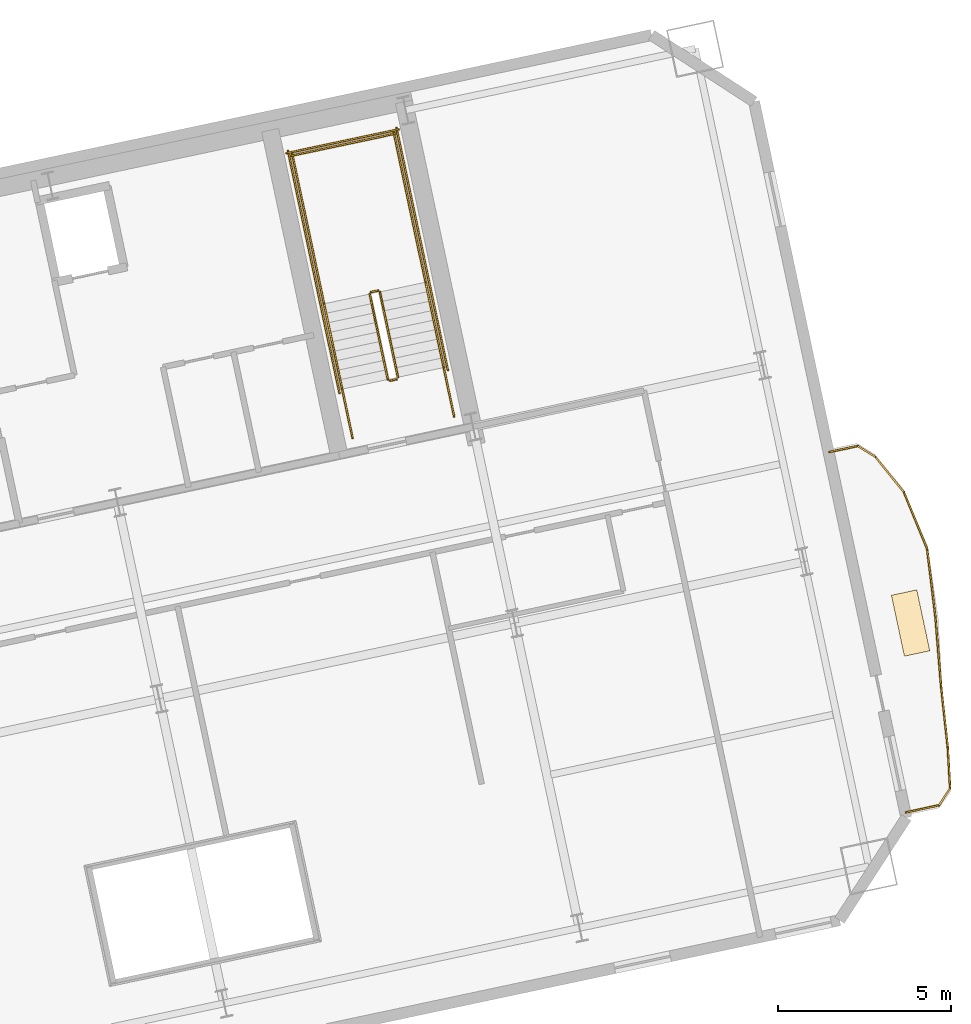
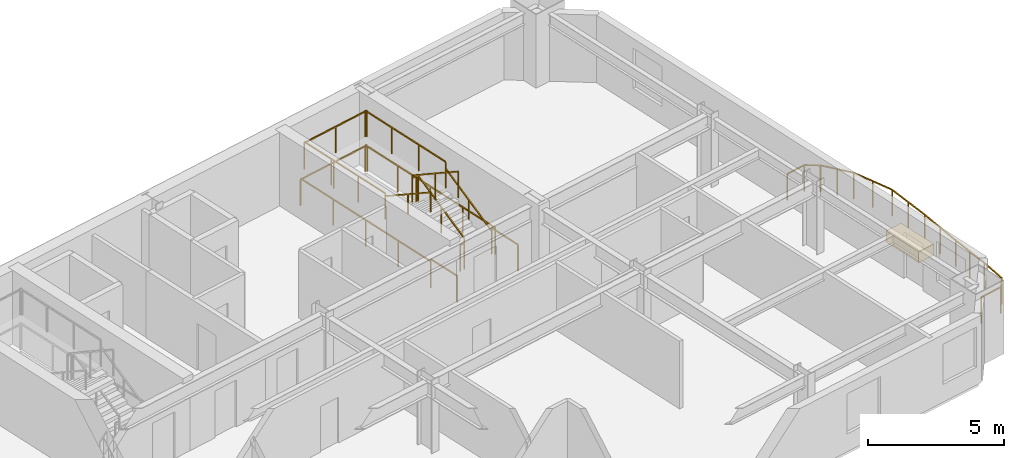
# One storey, part 13 of 13: 24 railings, 1 covering.
"""IFC4 building model written with IfcOpenShell, lengths in metres."""

from ifc_helpers import new_model, si_unit, direction, frame, origin, origin_2d, place, context, subcontext, project, spatial, rectangle, extrude, material, layer, layer_set, type_object, element, save


model = new_model("IFC4")

# Units and contexts
model_context = context("Model", 3, precision=1e-05, world=origin(), true_north=direction((0.0, 1.0)))
body_context = subcontext(model_context, "Body", "Model", "MODEL_VIEW")
ifc_project = project(units=[si_unit("LENGTHUNIT", "METRE"), si_unit("AREAUNIT", "SQUARE_METRE"), si_unit("VOLUMEUNIT", "CUBIC_METRE"), si_unit("PLANEANGLEUNIT", "RADIAN"), si_unit("MASSUNIT", "GRAM", prefix="KILO")], contexts=[model_context])

# Site, building, storey
site_placement = place(None, origin())
site = spatial("IfcSite", under=ifc_project, at=site_placement, CompositionType="ELEMENT")
building_placement = place(site_placement, origin())
building = spatial("IfcBuilding", under=site, at=building_placement, Name="Haevon Station Towers", CompositionType="ELEMENT")
storey_placement = place(building_placement, frame((0.0, 0.0, 99.89990234375)))
storey = spatial("IfcBuildingStorey", under=building, at=storey_placement, Name="L26", CompositionType="ELEMENT", Elevation=99.89990234375)

# Railings
ifc_material_1 = material(Name="Steel S355", Category="steel")
railing_type_1 = type_object("IfcRailingType", Name="GRD-EXT1200", PredefinedType="GUARDRAIL", material=ifc_material_1)
railing_1_placement = place(storey_placement, frame((131.806396484375, 30.66943359375, 0.0)))
element("IfcRailing", 1, at=railing_1_placement, inside=storey, type_object=railing_type_1, Name="L26 Perimeter Guardrail 1", PredefinedType="GUARDRAIL", context=body_context, shape_type="SweptSolid", body=[
    extrude(rectangle(XDim=0.048095703125, YDim=0.048095703125, at=origin_2d()), frame((0.0, 0.0, 1.17578125), z_axis=(0.977655509708, 0.210213473256, 0.0), x_axis=(-0.210213473256, 0.977655509708, 0.0)), (0.0, 0.0, 1.0), 0.974365234375),
    extrude(rectangle(XDim=0.0419921875, YDim=0.0419921875, at=origin_2d()), origin(), (0.0, 0.0, 1.0), 1.15185546875),
    extrude(rectangle(XDim=0.0419921875, YDim=0.0419921875, at=origin_2d()), frame((0.95263671875, 0.204833984375, 0.0)), (0.0, 0.0, 1.0), 1.15185546875),
])
railing_2_placement = place(storey_placement, frame((132.759033203125, 30.874267578125, 0.0)))
element("IfcRailing", 2, at=railing_2_placement, inside=storey, type_object=railing_type_1, Name="L26 Perimeter Guardrail 2", PredefinedType="GUARDRAIL", context=body_context, shape_type="SweptSolid", body=[
    extrude(rectangle(XDim=0.048095703125, YDim=0.048095703125, at=origin_2d()), frame((0.0, 0.0, 1.17578125), z_axis=(0.549194553992, 0.835694526645, 0.0), x_axis=(-0.835694526645, 0.549194553992, 0.0)), (0.0, 0.0, 1.0), 0.58447265625),
    extrude(rectangle(XDim=0.0419921875, YDim=0.0419921875, at=origin_2d()), origin(), (0.0, 0.0, 1.0), 1.15185546875),
    extrude(rectangle(XDim=0.0419921875, YDim=0.0419921875, at=origin_2d()), frame((0.321044921875, 0.488525390625, 0.0)), (0.0, 0.0, 1.0), 1.15185546875),
])
railing_3_placement = place(storey_placement, frame((133.080078125, 31.36279296875, 0.0)))
element("IfcRailing", 3, at=railing_3_placement, inside=storey, type_object=railing_type_1, Name="L26 Perimeter Guardrail 3", PredefinedType="GUARDRAIL", context=body_context, shape_type="SweptSolid", body=[
    extrude(rectangle(XDim=0.048095703125, YDim=0.048095703125, at=origin_2d()), frame((0.0, 0.0, 1.17578125), z_axis=(-0.05733169626, 0.998355185595, 0.0), x_axis=(-0.998355185595, -0.05733169626, 0.0)), (0.0, 0.0, 1.0), 1.183837890625),
    extrude(rectangle(XDim=0.0419921875, YDim=0.0419921875, at=origin_2d()), origin(), (0.0, 0.0, 1.0), 1.15185546875),
    extrude(rectangle(XDim=0.0419921875, YDim=0.0419921875, at=origin_2d()), frame((-0.06787109375, 1.181884765625, 0.0)), (0.0, 0.0, 1.0), 1.15185546875),
])
railing_4_placement = place(storey_placement, frame((133.01220703125, 32.544677734375, 0.0)))
element("IfcRailing", 4, at=railing_4_placement, inside=storey, type_object=railing_type_1, Name="L26 Perimeter Guardrail 4", PredefinedType="GUARDRAIL", context=body_context, shape_type="SweptSolid", body=[
    extrude(rectangle(XDim=0.048095703125, YDim=0.048095703125, at=origin_2d()), frame((0.0, 0.0, 1.17578125), z_axis=(-0.10867944311, 0.994076847455, 0.0), x_axis=(-0.994076847455, -0.10867944311, 0.0)), (0.0, 0.0, 1.0), 1.759033203125),
    extrude(rectangle(XDim=0.0419921875, YDim=0.0419921875, at=origin_2d()), origin(), (0.0, 0.0, 1.0), 1.15185546875),
    extrude(rectangle(XDim=0.0419921875, YDim=0.0419921875, at=origin_2d()), frame((-0.095703125, 0.874267578125, 0.0)), (0.0, 0.0, 1.0), 1.15185546875),
    extrude(rectangle(XDim=0.0419921875, YDim=0.0419921875, at=origin_2d()), frame((-0.191162109375, 1.74853515625, 0.0)), (0.0, 0.0, 1.0), 1.15185546875),
])
railing_5_placement = place(storey_placement, frame((132.821044921875, 34.293212890625, 0.0)))
element("IfcRailing", 5, at=railing_5_placement, inside=storey, type_object=railing_type_1, Name="L26 Perimeter Guardrail 5", PredefinedType="GUARDRAIL", context=body_context, shape_type="SweptSolid", body=[
    extrude(rectangle(XDim=0.048095703125, YDim=0.048095703125, at=origin_2d()), frame((0.0, 0.0, 1.17578125), z_axis=(-0.081584181363, 0.996666454413, 0.0), x_axis=(-0.996666454413, -0.081584181363, 0.0)), (0.0, 0.0, 1.0), 2.0048828125),
    extrude(rectangle(XDim=0.0419921875, YDim=0.0419921875, at=origin_2d()), origin(), (0.0, 0.0, 1.0), 1.15185546875),
    extrude(rectangle(XDim=0.0419921875, YDim=0.0419921875, at=origin_2d()), frame((-0.081787109375, 0.9990234375, 0.0)), (0.0, 0.0, 1.0), 1.15185546875),
    extrude(rectangle(XDim=0.0419921875, YDim=0.0419921875, at=origin_2d()), frame((-0.16357421875, 1.998291015625, 0.0)), (0.0, 0.0, 1.0), 1.15185546875),
])
railing_6_placement = place(storey_placement, frame((132.657470703125, 36.29150390625, 0.0)))
element("IfcRailing", 6, at=railing_6_placement, inside=storey, type_object=railing_type_1, Name="L26 Perimeter Guardrail 6", PredefinedType="GUARDRAIL", context=body_context, shape_type="SweptSolid", body=[
    extrude(rectangle(XDim=0.048095703125, YDim=0.048095703125, at=origin_2d()), frame((0.0, 0.0, 1.17578125), z_axis=(-0.120010837875, 0.992772581608, 0.0), x_axis=(-0.992772581608, -0.120010837875, 0.0)), (0.0, 0.0, 1.0), 2.001708984375),
    extrude(rectangle(XDim=0.0419921875, YDim=0.0419921875, at=origin_2d()), origin(), (0.0, 0.0, 1.0), 1.15185546875),
    extrude(rectangle(XDim=0.0419921875, YDim=0.0419921875, at=origin_2d()), frame((-0.1201171875, 0.99365234375, 0.0)), (0.0, 0.0, 1.0), 1.15185546875),
    extrude(rectangle(XDim=0.0419921875, YDim=0.0419921875, at=origin_2d()), frame((-0.240234375, 1.9873046875, 0.0)), (0.0, 0.0, 1.0), 1.15185546875),
])
railing_7_placement = place(storey_placement, frame((132.417236328125, 38.27880859375, 0.0)))
element("IfcRailing", 7, at=railing_7_placement, inside=storey, type_object=railing_type_1, Name="L26 Perimeter Guardrail 7", PredefinedType="GUARDRAIL", context=body_context, shape_type="SweptSolid", body=[
    extrude(rectangle(XDim=0.048095703125, YDim=0.048095703125, at=origin_2d()), frame((0.0, 0.0, 1.17578125), z_axis=(-0.380175333205, 0.924914437136, 0.0), x_axis=(-0.924914437136, -0.380175333205, 0.0)), (0.0, 0.0, 1.0), 1.7744140625),
    extrude(rectangle(XDim=0.0419921875, YDim=0.0419921875, at=origin_2d()), origin(), (0.0, 0.0, 1.0), 1.15185546875),
    extrude(rectangle(XDim=0.0419921875, YDim=0.0419921875, at=origin_2d()), frame((-0.33740234375, 0.820556640625, 0.0)), (0.0, 0.0, 1.0), 1.15185546875),
    extrude(rectangle(XDim=0.0419921875, YDim=0.0419921875, at=origin_2d()), frame((-0.674560546875, 1.64111328125, 0.0)), (0.0, 0.0, 1.0), 1.15185546875),
])
railing_8_placement = place(storey_placement, frame((131.74267578125, 39.919921875, 0.0)))
element("IfcRailing", 8, at=railing_8_placement, inside=storey, type_object=railing_type_1, Name="L26 Perimeter Guardrail 8", PredefinedType="GUARDRAIL", context=body_context, shape_type="SweptSolid", body=[
    extrude(rectangle(XDim=0.048095703125, YDim=0.048095703125, at=origin_2d()), frame((0.0, 0.0, 1.17578125), z_axis=(-0.628116150812, 0.77811959305, 0.0), x_axis=(-0.77811959305, -0.628116150812, 0.0)), (0.0, 0.0, 1.0), 1.311767578125),
    extrude(rectangle(XDim=0.0419921875, YDim=0.0419921875, at=origin_2d()), origin(), (0.0, 0.0, 1.0), 1.15185546875),
    extrude(rectangle(XDim=0.0419921875, YDim=0.0419921875, at=origin_2d()), frame((-0.412109375, 0.51025390625, 0.0)), (0.0, 0.0, 1.0), 1.15185546875),
    extrude(rectangle(XDim=0.0419921875, YDim=0.0419921875, at=origin_2d()), frame((-0.823974609375, 1.020751953125, 0.0)), (0.0, 0.0, 1.0), 1.15185546875),
])
railing_9_placement = place(storey_placement, frame((130.918701171875, 40.940673828125, 0.0)))
element("IfcRailing", 9, at=railing_9_placement, inside=storey, type_object=railing_type_1, Name="L26 Perimeter Guardrail 9", PredefinedType="GUARDRAIL", context=body_context, shape_type="SweptSolid", body=[
    extrude(rectangle(XDim=0.048095703125, YDim=0.048095703125, at=origin_2d()), frame((0.0, 0.0, 1.17578125), z_axis=(-0.850160096913, 0.526524272581, 0.0), x_axis=(-0.526524272581, -0.850160096913, 0.0)), (0.0, 0.0, 1.0), 0.594482421875),
    extrude(rectangle(XDim=0.0419921875, YDim=0.0419921875, at=origin_2d()), origin(), (0.0, 0.0, 1.0), 1.15185546875),
    extrude(rectangle(XDim=0.0419921875, YDim=0.0419921875, at=origin_2d()), frame((-0.50537109375, 0.31298828125, 0.0)), (0.0, 0.0, 1.0), 1.15185546875),
])
railing_10_placement = place(storey_placement, frame((130.413330078125, 41.253662109375, 0.0)))
element("IfcRailing", 10, at=railing_10_placement, inside=storey, type_object=railing_type_1, Name="L26 Perimeter Guardrail 10", PredefinedType="GUARDRAIL", context=body_context, shape_type="SweptSolid", body=[
    extrude(rectangle(XDim=0.048095703125, YDim=0.048095703125, at=origin_2d()), frame((0.0, 0.0, 1.17578125), z_axis=(-0.978617737227, -0.20568744343, 0.0), x_axis=(0.20568744343, -0.978617737227, 0.0)), (0.0, 0.0, 1.0), 0.837890625),
    extrude(rectangle(XDim=0.0419921875, YDim=0.0419921875, at=origin_2d()), origin(), (0.0, 0.0, 1.0), 1.15185546875),
    extrude(rectangle(XDim=0.0419921875, YDim=0.0419921875, at=origin_2d()), frame((-0.820068359375, -0.17236328125, 0.0)), (0.0, 0.0, 1.0), 1.15185546875),
])
railing_type_2 = type_object("IfcRailingType", Name="GRD-STR1200", PredefinedType="GUARDRAIL", material=ifc_material_1)
railing_11_placement = place(storey_placement, frame((117.128662109375, 43.23974609375, 0.1650390625)))
element("IfcRailing", 11, at=railing_11_placement, inside=storey, type_object=railing_type_2, Name="L26 ST4 Stair Guard 1", PredefinedType="GUARDRAIL", context=body_context, shape_type="SweptSolid", body=[
    extrude(rectangle(XDim=0.048095703125, YDim=0.048095703125, at=origin_2d()), frame((0.0, 0.0, 1.17578125), z_axis=(-0.179121265225, 0.842687928106, 0.507732831485), x_axis=(-0.978147030254, -0.207914374695, 0.0)), (0.0, 0.0, 1.0), 2.925048828125),
    extrude(rectangle(XDim=0.0419921875, YDim=0.0419921875, at=origin_2d()), origin(), (0.0, 0.0, 1.0), 1.15185546875),
    extrude(rectangle(XDim=0.0419921875, YDim=0.0419921875, at=origin_2d()), frame((-0.261962890625, 1.232421875, 0.74267578125)), (0.0, 0.0, 1.0), 1.15185546875),
    extrude(rectangle(XDim=0.0419921875, YDim=0.0419921875, at=origin_2d()), frame((-0.52392578125, 2.46484375, 1.485107421875)), (0.0, 0.0, 1.0), 1.15185546875),
])
railing_12_placement = place(storey_placement, frame((116.54541015625, 45.7431640625, 1.650146484375)))
element("IfcRailing", 12, at=railing_12_placement, inside=storey, type_object=railing_type_2, Name="L26 ST4 Stair Guard 2", PredefinedType="GUARDRAIL", context=body_context, shape_type="SweptSolid", body=[
    extrude(rectangle(XDim=0.048095703125, YDim=0.048095703125, at=origin_2d()), frame((0.0, 0.0, 1.17578125), z_axis=(-0.97826412705, -0.207362720198, 0.0), x_axis=(0.207362720198, -0.97826412705, 0.0)), (0.0, 0.0, 1.0), 0.2001953125),
    extrude(rectangle(XDim=0.0419921875, YDim=0.0419921875, at=origin_2d()), origin(), (0.0, 0.0, 1.0), 1.15185546875),
    extrude(rectangle(XDim=0.0419921875, YDim=0.0419921875, at=origin_2d()), frame((-0.19580078125, -0.04150390625, 0.0)), (0.0, 0.0, 1.0), 1.15185546875),
])
railing_13_placement = place(storey_placement, frame((117.925048828125, 45.9853515625, 1.650146484375)))
element("IfcRailing", 13, at=railing_13_placement, inside=storey, type_object=railing_type_2, Name="L26 ST4 Stair Guard 3", PredefinedType="GUARDRAIL", context=body_context, shape_type="SweptSolid", body=[
    extrude(rectangle(XDim=0.048095703125, YDim=0.048095703125, at=origin_2d()), frame((0.0, 0.0, 1.17578125), z_axis=(-0.207876551949, 0.978155069071, 0.0), x_axis=(-0.978155069071, -0.207876551949, 0.0)), (0.0, 0.0, 1.0), 4.429931640625),
    extrude(rectangle(XDim=0.0419921875, YDim=0.0419921875, at=origin_2d()), origin(), (0.0, 0.0, 1.0), 1.15185546875),
    extrude(rectangle(XDim=0.0419921875, YDim=0.0419921875, at=origin_2d()), frame((-0.306884765625, 1.4443359375, 0.0)), (0.0, 0.0, 1.0), 1.15185546875),
    extrude(rectangle(XDim=0.0419921875, YDim=0.0419921875, at=origin_2d()), frame((-0.614013671875, 2.888916015625, 0.0)), (0.0, 0.0, 1.0), 1.15185546875),
    extrude(rectangle(XDim=0.0419921875, YDim=0.0419921875, at=origin_2d()), frame((-0.9208984375, 4.333251953125, 0.0)), (0.0, 0.0, 1.0), 1.15185546875),
])
railing_14_placement = place(storey_placement, frame((114.99072265625, 45.361572265625, 1.650146484375)))
element("IfcRailing", 14, at=railing_14_placement, inside=storey, type_object=railing_type_2, Name="L26 ST4 Stair Guard 4", PredefinedType="GUARDRAIL", context=body_context, shape_type="SweptSolid", body=[
    extrude(rectangle(XDim=0.048095703125, YDim=0.048095703125, at=origin_2d()), frame((0.0, 0.0, 1.17578125), z_axis=(-0.207929280007, 0.978143861871, 0.0), x_axis=(-0.978143861871, -0.207929280007, 0.0)), (0.0, 0.0, 1.0), 4.43017578125),
    extrude(rectangle(XDim=0.0419921875, YDim=0.0419921875, at=origin_2d()), origin(), (0.0, 0.0, 1.0), 1.15185546875),
    extrude(rectangle(XDim=0.0419921875, YDim=0.0419921875, at=origin_2d()), frame((-0.30712890625, 1.4443359375, 0.0)), (0.0, 0.0, 1.0), 1.15185546875),
    extrude(rectangle(XDim=0.0419921875, YDim=0.0419921875, at=origin_2d()), frame((-0.614013671875, 2.888916015625, 0.0)), (0.0, 0.0, 1.0), 1.15185546875),
    extrude(rectangle(XDim=0.0419921875, YDim=0.0419921875, at=origin_2d()), frame((-0.921142578125, 4.333251953125, 0.0)), (0.0, 0.0, 1.0), 1.15185546875),
])
railing_15_placement = place(storey_placement, frame((117.0634765625, 50.280029296875, 1.650146484375)))
element("IfcRailing", 15, at=railing_15_placement, inside=storey, type_object=railing_type_2, Name="L26 ST4 Stair Guard 5", PredefinedType="GUARDRAIL", context=body_context, shape_type="SweptSolid", body=[
    extrude(rectangle(XDim=0.048095703125, YDim=0.048095703125, at=origin_2d()), frame((0.0, 0.0, 1.17578125), z_axis=(-0.978146839882, -0.207915270313, 0.0), x_axis=(0.207915270313, -0.978146839882, 0.0)), (0.0, 0.0, 1.0), 3.099853515625),
    extrude(rectangle(XDim=0.0419921875, YDim=0.0419921875, at=origin_2d()), origin(), (0.0, 0.0, 1.0), 1.15185546875),
    extrude(rectangle(XDim=0.0419921875, YDim=0.0419921875, at=origin_2d()), frame((-1.51611328125, -0.322265625, 0.0)), (0.0, 0.0, 1.0), 1.15185546875),
    extrude(rectangle(XDim=0.0419921875, YDim=0.0419921875, at=origin_2d()), frame((-3.0322265625, -0.64453125, 0.0)), (0.0, 0.0, 1.0), 1.15185546875),
])
railing_16_placement = place(storey_placement, frame((116.311279296875, 45.642333984375, 1.815185546875)))
element("IfcRailing", 16, at=railing_16_placement, inside=storey, type_object=railing_type_2, Name="L26 ST4 Stair Guard 6", PredefinedType="GUARDRAIL", context=body_context, shape_type="SweptSolid", body=[
    extrude(rectangle(XDim=0.048095703125, YDim=0.048095703125, at=origin_2d()), frame((0.0, 0.0, 1.17578125), z_axis=(0.179116256339, -0.842747828638, 0.507635168246), x_axis=(0.978151217824, 0.207894673017, 0.0)), (0.0, 0.0, 1.0), 2.925048828125),
    extrude(rectangle(XDim=0.0419921875, YDim=0.0419921875, at=origin_2d()), origin(), (0.0, 0.0, 1.0), 1.15185546875),
    extrude(rectangle(XDim=0.0419921875, YDim=0.0419921875, at=origin_2d()), frame((0.261962890625, -1.232421875, 0.742431640625)), (0.0, 0.0, 1.0), 1.15185546875),
    extrude(rectangle(XDim=0.0419921875, YDim=0.0419921875, at=origin_2d()), frame((0.52392578125, -2.465087890625, 1.48486328125)), (0.0, 0.0, 1.0), 1.15185546875),
])
railing_17_placement = place(storey_placement, frame((117.090087890625, 43.180419921875, 0.0)))
element("IfcRailing", 17, at=railing_17_placement, inside=storey, type_object=railing_type_2, Name="L26 ST4 Stair Guard 7", PredefinedType="GUARDRAIL", context=body_context, shape_type="SweptSolid", body=[
    extrude(rectangle(XDim=0.048095703125, YDim=0.048095703125, at=origin_2d()), frame((0.0, 0.0, 1.17578125), z_axis=(-0.978211583308, -0.207610448392, 0.0), x_axis=(0.207610448392, -0.978211583308, 0.0)), (0.0, 0.0, 1.0), 0.199951171875),
    extrude(rectangle(XDim=0.0419921875, YDim=0.0419921875, at=origin_2d()), origin(), (0.0, 0.0, 1.0), 1.15185546875),
    extrude(rectangle(XDim=0.0419921875, YDim=0.0419921875, at=origin_2d()), frame((-0.195556640625, -0.04150390625, 0.0)), (0.0, 0.0, 1.0), 1.15185546875),
])
for number, where, name in (
    (18, (118.75048828125, 42.10205078125, 0.0), "L26 ST4 Stair Guard 8"),
    (19, (115.816162109375, 41.478271484375, 0.0), "L26 ST4 Stair Guard 9"),
):
    element("IfcRailing", number, at=place(storey_placement, frame(where)), inside=storey, type_object=railing_type_2, Name=name, PredefinedType="GUARDRAIL", context=body_context, shape_type="SweptSolid", body=[
        extrude(rectangle(XDim=0.048095703125, YDim=0.048095703125, at=origin_2d()), frame((0.0, 0.0, 1.17578125), z_axis=(-0.207919161079, 0.978146012851, 0.0), x_axis=(-0.978146012851, -0.207919161079, 0.0)), (0.0, 0.0, 1.0), 1.4501953125),
        extrude(rectangle(XDim=0.0419921875, YDim=0.0419921875, at=origin_2d()), origin(), (0.0, 0.0, 1.0), 1.15185546875),
        extrude(rectangle(XDim=0.0419921875, YDim=0.0419921875, at=origin_2d()), frame((-0.301513671875, 1.41845703125, 0.0)), (0.0, 0.0, 1.0), 1.15185546875),
    ])
railing_18_placement = place(storey_placement, frame((118.567626953125, 43.443359375, 0.0)))
element("IfcRailing", 20, at=railing_18_placement, inside=storey, type_object=railing_type_2, Name="L26 ST4 Stair Guard 10", PredefinedType="GUARDRAIL", context=body_context, shape_type="SweptSolid", body=[
    extrude(rectangle(XDim=0.048095703125, YDim=0.048095703125, at=origin_2d()), frame((0.0, 0.0, 1.17578125), z_axis=(-0.207908168386, 0.978148349443, 0.0), x_axis=(-0.978148349443, -0.207908168386, 0.0)), (0.0, 0.0, 1.0), 7.150146484375),
    extrude(rectangle(XDim=0.0419921875, YDim=0.0419921875, at=origin_2d()), origin(), (0.0, 0.0, 1.0), 1.15185546875),
    extrude(rectangle(XDim=0.0419921875, YDim=0.0419921875, at=origin_2d()), frame((-0.37158203125, 1.74853515625, 0.0)), (0.0, 0.0, 1.0), 1.15185546875),
    extrude(rectangle(XDim=0.0419921875, YDim=0.0419921875, at=origin_2d()), frame((-0.7431640625, 3.4970703125, 0.0)), (0.0, 0.0, 1.0), 1.15185546875),
    extrude(rectangle(XDim=0.0419921875, YDim=0.0419921875, at=origin_2d()), frame((-1.114990234375, 5.245361328125, 0.0)), (0.0, 0.0, 1.0), 1.15185546875),
    extrude(rectangle(XDim=0.0419921875, YDim=0.0419921875, at=origin_2d()), frame((-1.486572265625, 6.993896484375, 0.0)), (0.0, 0.0, 1.0), 1.15185546875),
])
railing_19_placement = place(storey_placement, frame((115.4375, 42.778076171875, 0.0)))
element("IfcRailing", 21, at=railing_19_placement, inside=storey, type_object=railing_type_2, Name="L26 ST4 Stair Guard 11", PredefinedType="GUARDRAIL", context=body_context, shape_type="SweptSolid", body=[
    extrude(rectangle(XDim=0.048095703125, YDim=0.048095703125, at=origin_2d()), frame((0.0, 0.0, 1.17578125), z_axis=(-0.207882442208, 0.978153817261, 0.0), x_axis=(-0.978153817261, -0.207882442208, 0.0)), (0.0, 0.0, 1.0), 7.14990234375),
    extrude(rectangle(XDim=0.0419921875, YDim=0.0419921875, at=origin_2d()), origin(), (0.0, 0.0, 1.0), 1.15185546875),
    extrude(rectangle(XDim=0.0419921875, YDim=0.0419921875, at=origin_2d()), frame((-0.37158203125, 1.74853515625, 0.0)), (0.0, 0.0, 1.0), 1.15185546875),
    extrude(rectangle(XDim=0.0419921875, YDim=0.0419921875, at=origin_2d()), frame((-0.7431640625, 3.496826171875, 0.0)), (0.0, 0.0, 1.0), 1.15185546875),
    extrude(rectangle(XDim=0.0419921875, YDim=0.0419921875, at=origin_2d()), frame((-1.11474609375, 5.2451171875, 0.0)), (0.0, 0.0, 1.0), 1.15185546875),
    extrude(rectangle(XDim=0.0419921875, YDim=0.0419921875, at=origin_2d()), frame((-1.486328125, 6.99365234375, 0.0)), (0.0, 0.0, 1.0), 1.15185546875),
])
railing_20_placement = place(storey_placement, frame((117.140380859375, 50.398681640625, 0.0)))
element("IfcRailing", 22, at=railing_20_placement, inside=storey, type_object=railing_type_2, Name="L26 ST4 Stair Guard 12", PredefinedType="GUARDRAIL", context=body_context, shape_type="SweptSolid", body=[
    extrude(rectangle(XDim=0.048095703125, YDim=0.048095703125, at=origin_2d()), frame((0.0, 0.0, 1.17578125), z_axis=(-0.978135717418, -0.207967589567, 0.0), x_axis=(0.207967589567, -0.978135717418, 0.0)), (0.0, 0.0, 1.0), 3.300048828125),
    extrude(rectangle(XDim=0.0419921875, YDim=0.0419921875, at=origin_2d()), origin(), (0.0, 0.0, 1.0), 1.15185546875),
    extrude(rectangle(XDim=0.0419921875, YDim=0.0419921875, at=origin_2d()), frame((-1.61376953125, -0.34326171875, 0.0)), (0.0, 0.0, 1.0), 1.15185546875),
    extrude(rectangle(XDim=0.0419921875, YDim=0.0419921875, at=origin_2d()), frame((-3.227783203125, -0.686279296875, 0.0)), (0.0, 0.0, 1.0), 1.15185546875),
])
railing_type_3 = type_object("IfcRailingType", Name="HND-STR900", PredefinedType="HANDRAIL", material=ifc_material_1)
railing_21_placement = place(storey_placement, frame((118.448974609375, 43.5205078125, 0.1650390625)))
element("IfcRailing", 23, at=railing_21_placement, inside=storey, type_object=railing_type_3, Name="L26 ST4 Stair Handrail 1", PredefinedType="HANDRAIL", context=body_context, shape_type="SweptSolid", body=[
    extrude(rectangle(XDim=0.048095703125, YDim=0.048095703125, at=origin_2d()), frame((0.0, 0.0, 0.8759765625), z_axis=(-0.179121265225, 0.842687928106, 0.507732831485), x_axis=(-0.978147030254, -0.207914374695, 0.0)), (0.0, 0.0, 1.0), 2.925048828125),
    extrude(rectangle(XDim=0.0419921875, YDim=0.0419921875, at=origin_2d()), origin(), (0.0, 0.0, 1.0), 0.851806640625),
    extrude(rectangle(XDim=0.0419921875, YDim=0.0419921875, at=origin_2d()), frame((-0.261962890625, 1.232421875, 0.74267578125)), (0.0, 0.0, 1.0), 0.851806640625),
    extrude(rectangle(XDim=0.0419921875, YDim=0.0419921875, at=origin_2d()), frame((-0.52392578125, 2.46484375, 1.485107421875)), (0.0, 0.0, 1.0), 0.851806640625),
])
railing_22_placement = place(storey_placement, frame((114.99072265625, 45.361572265625, 1.815185546875)))
element("IfcRailing", 24, at=railing_22_placement, inside=storey, type_object=railing_type_3, Name="L26 ST4 Stair Handrail 2", PredefinedType="HANDRAIL", context=body_context, shape_type="SweptSolid", body=[
    extrude(rectangle(XDim=0.048095703125, YDim=0.048095703125, at=origin_2d()), frame((0.0, 0.0, 0.8759765625), z_axis=(0.179128856099, -0.842723639875, 0.507670877349), x_axis=(0.978147030254, 0.207914374695, 0.0)), (0.0, 0.0, 1.0), 2.9248046875),
    extrude(rectangle(XDim=0.0419921875, YDim=0.0419921875, at=origin_2d()), origin(), (0.0, 0.0, 1.0), 0.851806640625),
    extrude(rectangle(XDim=0.0419921875, YDim=0.0419921875, at=origin_2d()), frame((0.261962890625, -1.232421875, 0.742431640625)), (0.0, 0.0, 1.0), 0.851806640625),
    extrude(rectangle(XDim=0.0419921875, YDim=0.0419921875, at=origin_2d()), frame((0.52392578125, -2.46484375, 1.48486328125)), (0.0, 0.0, 1.0), 0.851806640625),
])

# Covering
ifc_material_2 = material(Name="Architectural planter GRC", Category="concrete")
ifc_layer = layer(ifc_material_2, 0.550048828125)
ifc_layer_set = layer_set([ifc_layer], Name="Architectural planter GRC")
covering_type = type_object("IfcCoveringType", Name="PLN-GRC550", PredefinedType="MOLDING", material=ifc_layer_set)
covering_placement = place(storey_placement, frame((131.938720703125, 36.138671875, 0.0), z_axis=(0.0, 0.0, 1.0), x_axis=(0.978147600734, 0.207911690818, 0.0)))
element("IfcCovering", 25, at=covering_placement, inside=storey, type_object=covering_type, Name="Tower 2 L26 Scalloped Balcony PLANTER", PredefinedType="MOLDING", context=body_context, shape_type="SweptSolid", body=[
    extrude(rectangle(XDim=0.75, YDim=1.800048828125, at=origin_2d()), origin(), (0.0, 0.0, 1.0), 0.5),
])

save(model, "model.ifc")
